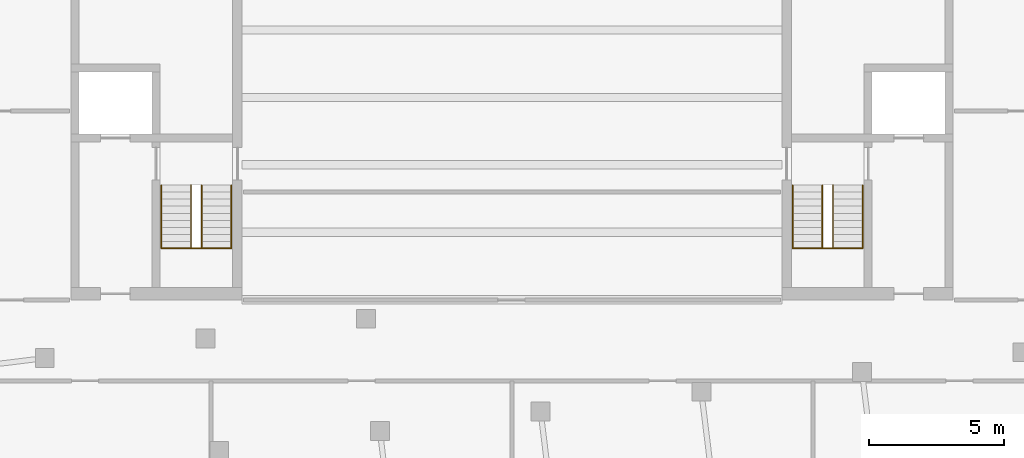
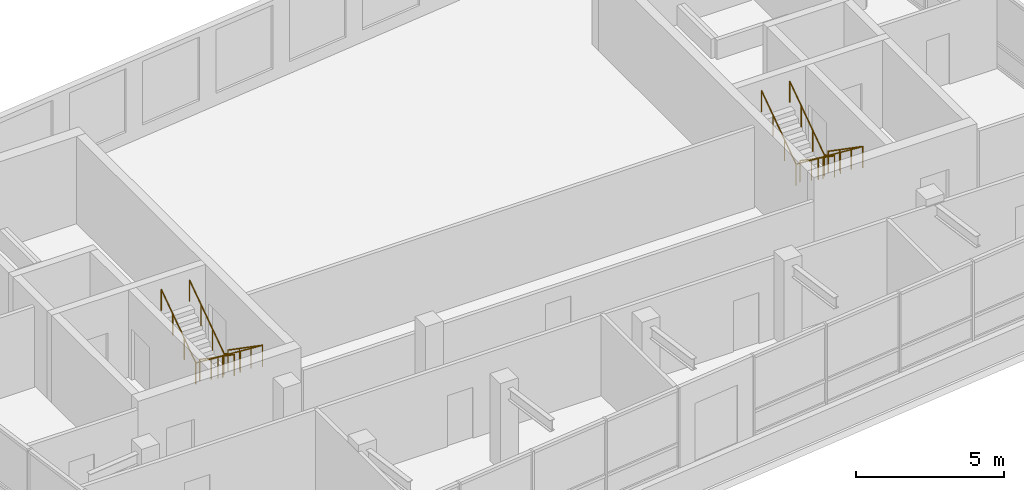
# One storey, part 8 of 8: 4 railings.
"""IFC4 building model written with IfcOpenShell, lengths in metres."""

import ifcopenshell
import ifcopenshell.guid

model = None  # the IFC model being written
_history = None  # IfcOwnerHistory: only IFC2X3 demands one
_inside = {}  # id of a spatial element -> (the spatial element, [elements in it])
_under = {}  # id of a project, library or spatial element -> (it, [spatial elements below it])
_declared = {}  # id of a project -> (the project, [libraries it declares])
_typed = {}  # id of a type object -> (the type object, [elements of that type])
_made_of = {}  # id of a material, layer set ... -> (it, [elements and type objects made of it])


def new_model(schema):
    """Start an empty IFC model of exactly this schema.

    Asked for "IFC4X3", IfcOpenShell would pick the latest addendum, in which some entities
    have other attributes; the version numbers below select the first issue.
    IFC2X3 requires an IfcOwnerHistory on every rooted entity: one is made here for all.
    """
    global model, _history
    if schema == "IFC4X3":
        model = ifcopenshell.file(schema_version=(4, 3, 0, 0))
    else:
        model = ifcopenshell.file(schema=schema)
    _inside.clear()
    _under.clear()
    _declared.clear()
    _typed.clear()
    _made_of.clear()
    _history = None
    if model.schema == "IFC2X3":
        org = make("IfcOrganization", Name="unknown")
        user = make(
            "IfcPersonAndOrganization",
            ThePerson=make("IfcPerson", FamilyName="unknown"),
            TheOrganization=org,
        )
        app = make(
            "IfcApplication",
            ApplicationDeveloper=org,
            Version="unknown",
            ApplicationFullName="unknown",
            ApplicationIdentifier="unknown",
        )
        _history = make(
            "IfcOwnerHistory",
            OwningUser=user,
            OwningApplication=app,
            ChangeAction="ADDED",
            CreationDate=0,
        )
    return model


def make(cls, **values):
    """One entity of the class cls with the attributes given. An attribute that is None is left unset."""
    return model.create_entity(
        cls, **{name: value for name, value in values.items() if value is not None}
    )


def rooted(cls, **values):
    """An entity with a GlobalId (a new one), such as an element, a storey or a relation."""
    return make(cls, GlobalId=ifcopenshell.guid.new(), OwnerHistory=_history, **values)


def si_unit(unit_type, name, prefix=None):
    """IfcSIUnit, for example si_unit("LENGTHUNIT", "METRE", prefix="MILLI")."""
    return make("IfcSIUnit", UnitType=unit_type, Prefix=prefix, Name=name)


def assignment(units):
    """IfcUnitAssignment: the units of a project."""
    return None if units is None else make("IfcUnitAssignment", Units=units)


def point(xyz):
    """IfcCartesianPoint."""
    return None if xyz is None else make("IfcCartesianPoint", Coordinates=xyz)


def direction(xyz):
    """IfcDirection."""
    return None if xyz is None else make("IfcDirection", DirectionRatios=xyz)


def frame(location, z_axis=None, x_axis=None):
    """IfcAxis2Placement3D, a coordinate frame: its origin and axes. An axis left out is left unset."""
    return make(
        "IfcAxis2Placement3D",
        Location=point(location),
        Axis=direction(z_axis),
        RefDirection=direction(x_axis),
    )


def frame_2d(location, x_axis=None):
    """IfcAxis2Placement2D, a coordinate frame in the plane: its origin and x axis."""
    return make(
        "IfcAxis2Placement2D", Location=point(location), RefDirection=direction(x_axis)
    )


def origin():
    """The frame at (0, 0, 0) with its axes left unset."""
    return frame((0.0, 0.0, 0.0))


def origin_2d():
    """The frame at (0, 0) in the plane with its x axis left unset."""
    return frame_2d((0.0, 0.0))


def place(relative_to, where):
    """IfcLocalPlacement: puts the frame where relative to a parent placement (None: the world)."""
    return make(
        "IfcLocalPlacement", PlacementRelTo=relative_to, RelativePlacement=where
    )


def context(
    kind, dimensions, precision=None, world=None, true_north=None, identifier=None
):
    """IfcGeometricRepresentationContext, for example the 3D "Model" context."""
    return make(
        "IfcGeometricRepresentationContext",
        ContextIdentifier=identifier,
        ContextType=kind,
        CoordinateSpaceDimension=dimensions,
        Precision=precision,
        WorldCoordinateSystem=world,
        TrueNorth=true_north,
    )


def subcontext(parent, identifier, kind, view, scale=None):
    """IfcGeometricRepresentationSubContext, for example "Body" below "Model"."""
    return make(
        "IfcGeometricRepresentationSubContext",
        ContextIdentifier=identifier,
        ContextType=kind,
        ParentContext=parent,
        TargetScale=scale,
        TargetView=view,
    )


def project(units=None, contexts=None):
    """IfcProject with its units and contexts."""
    return rooted(
        "IfcProject",
        Name="project",
        RepresentationContexts=contexts,
        UnitsInContext=assignment(units),
    )


def spatial(cls, under=None, at=None, **own):
    """A site, building, storey or space (cls), placed at a placement, below another one or the project."""
    s = rooted(cls, ObjectPlacement=at, **own)
    if under is not None:
        _under.setdefault(under.id(), (under, []))[1].append(s)
    return s


def profile(cls, at=None, kind="AREA", **sizes):
    """A parametric profile (cls). Its sizes go by their IFC names, for example OverallWidth=200.0."""
    return make(cls, ProfileType=kind, Position=at, **sizes)


def circle(**sizes):
    """IfcCircleProfileDef."""
    return profile("IfcCircleProfileDef", **sizes)


def extrude(swept, where, along, depth):
    """IfcExtrudedAreaSolid: the profile swept, set in the frame where, extruded along a direction by depth."""
    return make(
        "IfcExtrudedAreaSolid",
        SweptArea=swept,
        Position=where,
        ExtrudedDirection=direction(along),
        Depth=depth,
    )


def shape(context_of_items, identifier, shape_type, items):
    """IfcShapeRepresentation: the items that make up one representation, for example the "Body"."""
    return make(
        "IfcShapeRepresentation",
        ContextOfItems=context_of_items,
        RepresentationIdentifier=identifier,
        RepresentationType=shape_type,
        Items=items,
    )


def material(Name=None, Category=None):
    """IfcMaterial."""
    return make("IfcMaterial", Name=Name, Category=Category)


def made_of(thing, what):
    """Note that an element or type object is made of a material, layer set ...; save() writes the relation."""
    if what is not None:
        _made_of.setdefault(what.id(), (what, []))[1].append(thing)
    return thing


def type_object(cls, material=None, **own):
    """A type object (cls), such as IfcWallType, which elements share."""
    return made_of(rooted(cls, **own), material)


def element(
    cls,
    number,
    at=None,
    inside=None,
    cuts=None,
    type_object=None,
    material=None,
    context=None,
    identifier="Body",
    shape_type=None,
    held_by="IfcProductDefinitionShape",
    body=None,
    shapes=None,
    **own,
):
    """One element of the class cls, such as IfcWall. Its Tag is "e" and its number.

    at: its placement. inside: the storey or other place that contains it. cuts: it is an
    opening in that element (IfcRelVoidsElement). A single representation is given by context,
    identifier, shape_type and body (its items); several are given by shapes. held_by: the class
    of the entity that holds the representations. save() writes the other relations.
    """
    e = rooted(cls, Tag="e%d" % number, ObjectPlacement=at, **own)
    if body is not None:
        shapes = [shape(context, identifier, shape_type, body)]
    if shapes is not None:
        e.Representation = make(held_by, Representations=shapes)
    if inside is not None:
        _inside.setdefault(inside.id(), (inside, []))[1].append(e)
    if cuts is not None:
        rooted(
            "IfcRelVoidsElement", RelatingBuildingElement=cuts, RelatedOpeningElement=e
        )
    if type_object is not None:
        _typed.setdefault(type_object.id(), (type_object, []))[1].append(e)
    return made_of(e, material)


def aggregate(whole, parts):
    """IfcRelAggregates: a whole, such as a stair, and the parts it consists of."""
    return rooted("IfcRelAggregates", RelatingObject=whole, RelatedObjects=parts)


def save(model, path):
    """Write the relations noted so far, then the file.

    IfcRelAggregates (storeys below a building ...), IfcRelContainedInSpatialStructure (elements
    in a storey), IfcRelDefinesByType, IfcRelAssociatesMaterial and IfcRelDeclares: one each for
    every whole, place, type object, material and project.
    """
    for whole, parts in _under.values():
        aggregate(whole, parts)
    for where, things in _inside.values():
        rooted(
            "IfcRelContainedInSpatialStructure",
            RelatedElements=things,
            RelatingStructure=where,
        )
    for kind, things in _typed.values():
        rooted("IfcRelDefinesByType", RelatedObjects=things, RelatingType=kind)
    for what, things in _made_of.values():
        rooted("IfcRelAssociatesMaterial", RelatedObjects=things, RelatingMaterial=what)
    for by, libraries in _declared.values():
        rooted("IfcRelDeclares", RelatingContext=by, RelatedDefinitions=libraries)
    model.write(path)


model = new_model("IFC4")

# Units and contexts
model_context = context("Model", 3, precision=1e-05, world=origin(), true_north=direction((0.0, 1.0)))
body_context = subcontext(model_context, "Body", "Model", "MODEL_VIEW")
ifc_project = project(units=[si_unit("LENGTHUNIT", "METRE"), si_unit("AREAUNIT", "SQUARE_METRE"), si_unit("VOLUMEUNIT", "CUBIC_METRE"), si_unit("PLANEANGLEUNIT", "RADIAN"), si_unit("MASSUNIT", "GRAM", prefix="KILO")], contexts=[model_context])

# Site, building, storey
site_placement = place(None, origin())
site = spatial("IfcSite", under=ifc_project, at=site_placement, CompositionType="ELEMENT")
building_placement = place(site_placement, origin())
building = spatial("IfcBuilding", under=site, at=building_placement, Name="Torana Hotel and Residences", CompositionType="ELEMENT")
storey_placement = place(building_placement, frame((0.0, 0.0, 346.60009765625)))
storey = spatial("IfcBuildingStorey", under=building, at=storey_placement, Name="C1", CompositionType="ELEMENT", Elevation=346.60009765625)

# Railings
ifc_material = material(Name="Stainless steel 316", Category="steel")
railing_type = type_object("IfcRailingType", Name="STAIR HANDRAIL HR1 900", PredefinedType="HANDRAIL", material=ifc_material)
railing_1_placement = place(storey_placement, frame((-10.39990234375, -10.75, 0.179931640625)))
element("IfcRailing", 1, at=railing_1_placement, inside=storey, type_object=railing_type, Name="Handrail ST1 C1 O1", PredefinedType="HANDRAIL", context=body_context, shape_type="SweptSolid", body=[
    extrude(circle(Radius=0.02392578125, at=origin_2d()), frame((0.0, 0.0, 0.8759765625), z_axis=(0.0, -0.822223072051, 0.569165371211), x_axis=(1.0, 0.0, 0.0)), (0.0, 0.0, 1.0), 2.845947265625),
    extrude(circle(Radius=0.02392578125, at=origin_2d()), frame((0.0, -2.340087890625, 2.49560546875), z_axis=(-0.997607660209, 0.0, 0.069129995609), x_axis=(0.0, -1.0, 0.0)), (0.0, 0.0, 1.0), 2.6064453125),
    extrude(circle(Radius=0.02392578125, at=origin_2d()), frame((-2.60009765625, -2.340087890625, 2.67578125), z_axis=(0.0, 0.822223072051, 0.569165371211), x_axis=(-1.0, 0.0, 0.0)), (0.0, 0.0, 1.0), 2.845947265625),
    extrude(circle(Radius=0.02099609375, at=origin_2d()), origin(), (0.0, 0.0, 1.0), 0.851806640625),
    extrude(circle(Radius=0.02099609375, at=origin_2d()), frame((0.0, -0.780029296875, 0.5400390625)), (0.0, 0.0, 1.0), 0.851806640625),
    extrude(circle(Radius=0.02099609375, at=origin_2d()), frame((0.0, -1.56005859375, 1.079833984375)), (0.0, 0.0, 1.0), 0.851806640625),
    extrude(circle(Radius=0.02099609375, at=origin_2d()), frame((0.0, -2.340087890625, 1.619873046875)), (0.0, 0.0, 1.0), 0.851806640625),
    extrude(circle(Radius=0.02099609375, at=origin_2d()), frame((-0.86669921875, -2.340087890625, 1.679931640625)), (0.0, 0.0, 1.0), 0.851806640625),
    extrude(circle(Radius=0.02099609375, at=origin_2d()), frame((-1.7333984375, -2.340087890625, 1.739990234375)), (0.0, 0.0, 1.0), 0.851806640625),
    extrude(circle(Radius=0.02099609375, at=origin_2d()), frame((-2.60009765625, -2.340087890625, 1.800048828125)), (0.0, 0.0, 1.0), 0.851806640625),
    extrude(circle(Radius=0.02099609375, at=origin_2d()), frame((-2.60009765625, -1.56005859375, 2.340087890625)), (0.0, 0.0, 1.0), 0.851806640625),
    extrude(circle(Radius=0.02099609375, at=origin_2d()), frame((-2.60009765625, -0.780029296875, 2.8798828125)), (0.0, 0.0, 1.0), 0.851806640625),
    extrude(circle(Radius=0.02099609375, at=origin_2d()), frame((-2.60009765625, 0.0, 3.419921875)), (0.0, 0.0, 1.0), 0.851806640625),
])
railing_2_placement = place(storey_placement, frame((-11.5, -10.75, 0.179931640625)))
element("IfcRailing", 2, at=railing_2_placement, inside=storey, type_object=railing_type, Name="Handrail ST1 C1 I1", PredefinedType="HANDRAIL", context=body_context, shape_type="SweptSolid", body=[
    extrude(circle(Radius=0.02392578125, at=origin_2d()), frame((0.0, 0.0, 0.8759765625), z_axis=(0.0, -0.822223072051, 0.569165371211), x_axis=(1.0, 0.0, 0.0)), (0.0, 0.0, 1.0), 2.845947265625),
    extrude(circle(Radius=0.02392578125, at=origin_2d()), frame((0.0, -2.340087890625, 2.49560546875), z_axis=(-0.911733943306, 0.0, 0.410781227204), x_axis=(0.0, -1.0, 0.0)), (0.0, 0.0, 1.0), 0.438720703125),
    extrude(circle(Radius=0.02392578125, at=origin_2d()), frame((-0.39990234375, -2.340087890625, 2.67578125), z_axis=(0.0, 0.822223072051, 0.569165371211), x_axis=(-1.0, 0.0, 0.0)), (0.0, 0.0, 1.0), 2.845947265625),
    extrude(circle(Radius=0.02099609375, at=origin_2d()), origin(), (0.0, 0.0, 1.0), 0.851806640625),
    extrude(circle(Radius=0.02099609375, at=origin_2d()), frame((0.0, -0.780029296875, 0.5400390625)), (0.0, 0.0, 1.0), 0.851806640625),
    extrude(circle(Radius=0.02099609375, at=origin_2d()), frame((0.0, -1.56005859375, 1.079833984375)), (0.0, 0.0, 1.0), 0.851806640625),
    extrude(circle(Radius=0.02099609375, at=origin_2d()), frame((0.0, -2.340087890625, 1.619873046875)), (0.0, 0.0, 1.0), 0.851806640625),
    extrude(circle(Radius=0.02099609375, at=origin_2d()), frame((-0.39990234375, -2.340087890625, 1.800048828125)), (0.0, 0.0, 1.0), 0.851806640625),
    extrude(circle(Radius=0.02099609375, at=origin_2d()), frame((-0.39990234375, -1.56005859375, 2.340087890625)), (0.0, 0.0, 1.0), 0.851806640625),
    extrude(circle(Radius=0.02099609375, at=origin_2d()), frame((-0.39990234375, -0.780029296875, 2.8798828125)), (0.0, 0.0, 1.0), 0.851806640625),
    extrude(circle(Radius=0.02099609375, at=origin_2d()), frame((-0.39990234375, 0.0, 3.419921875)), (0.0, 0.0, 1.0), 0.851806640625),
])
railing_3_placement = place(storey_placement, frame((13.0, -10.75, 0.179931640625)))
element("IfcRailing", 3, at=railing_3_placement, inside=storey, type_object=railing_type, Name="Handrail ST3 C1 O1", PredefinedType="HANDRAIL", context=body_context, shape_type="SweptSolid", body=[
    extrude(circle(Radius=0.02392578125, at=origin_2d()), frame((0.0, 0.0, 0.8759765625), z_axis=(0.0, -0.822223072051, 0.569165371211), x_axis=(1.0, 0.0, 0.0)), (0.0, 0.0, 1.0), 2.845947265625),
    extrude(circle(Radius=0.02392578125, at=origin_2d()), frame((0.0, -2.340087890625, 2.49560546875), z_axis=(-0.997607660209, 0.0, 0.069129995609), x_axis=(0.0, -1.0, 0.0)), (0.0, 0.0, 1.0), 2.6064453125),
    extrude(circle(Radius=0.02392578125, at=origin_2d()), frame((-2.60009765625, -2.340087890625, 2.67578125), z_axis=(0.0, 0.822223072051, 0.569165371211), x_axis=(-1.0, 0.0, 0.0)), (0.0, 0.0, 1.0), 2.845947265625),
    extrude(circle(Radius=0.02099609375, at=origin_2d()), origin(), (0.0, 0.0, 1.0), 0.851806640625),
    extrude(circle(Radius=0.02099609375, at=origin_2d()), frame((0.0, -0.780029296875, 0.5400390625)), (0.0, 0.0, 1.0), 0.851806640625),
    extrude(circle(Radius=0.02099609375, at=origin_2d()), frame((0.0, -1.56005859375, 1.079833984375)), (0.0, 0.0, 1.0), 0.851806640625),
    extrude(circle(Radius=0.02099609375, at=origin_2d()), frame((0.0, -2.340087890625, 1.619873046875)), (0.0, 0.0, 1.0), 0.851806640625),
    extrude(circle(Radius=0.02099609375, at=origin_2d()), frame((-0.86669921875, -2.340087890625, 1.679931640625)), (0.0, 0.0, 1.0), 0.851806640625),
    extrude(circle(Radius=0.02099609375, at=origin_2d()), frame((-1.7333984375, -2.340087890625, 1.739990234375)), (0.0, 0.0, 1.0), 0.851806640625),
    extrude(circle(Radius=0.02099609375, at=origin_2d()), frame((-2.60009765625, -2.340087890625, 1.800048828125)), (0.0, 0.0, 1.0), 0.851806640625),
    extrude(circle(Radius=0.02099609375, at=origin_2d()), frame((-2.60009765625, -1.56005859375, 2.340087890625)), (0.0, 0.0, 1.0), 0.851806640625),
    extrude(circle(Radius=0.02099609375, at=origin_2d()), frame((-2.60009765625, -0.780029296875, 2.8798828125)), (0.0, 0.0, 1.0), 0.851806640625),
    extrude(circle(Radius=0.02099609375, at=origin_2d()), frame((-2.60009765625, 0.0, 3.419921875)), (0.0, 0.0, 1.0), 0.851806640625),
])
railing_4_placement = place(storey_placement, frame((11.89990234375, -10.75, 0.179931640625)))
element("IfcRailing", 4, at=railing_4_placement, inside=storey, type_object=railing_type, Name="Handrail ST3 C1 I1", PredefinedType="HANDRAIL", context=body_context, shape_type="SweptSolid", body=[
    extrude(circle(Radius=0.02392578125, at=origin_2d()), frame((0.0, 0.0, 0.8759765625), z_axis=(0.0, -0.822223072051, 0.569165371211), x_axis=(1.0, 0.0, 0.0)), (0.0, 0.0, 1.0), 2.845947265625),
    extrude(circle(Radius=0.02392578125, at=origin_2d()), frame((0.0, -2.340087890625, 2.49560546875), z_axis=(-0.911733943306, 0.0, 0.410781227204), x_axis=(0.0, -1.0, 0.0)), (0.0, 0.0, 1.0), 0.438720703125),
    extrude(circle(Radius=0.02392578125, at=origin_2d()), frame((-0.39990234375, -2.340087890625, 2.67578125), z_axis=(0.0, 0.822223072051, 0.569165371211), x_axis=(-1.0, 0.0, 0.0)), (0.0, 0.0, 1.0), 2.845947265625),
    extrude(circle(Radius=0.02099609375, at=origin_2d()), origin(), (0.0, 0.0, 1.0), 0.851806640625),
    extrude(circle(Radius=0.02099609375, at=origin_2d()), frame((0.0, -0.780029296875, 0.5400390625)), (0.0, 0.0, 1.0), 0.851806640625),
    extrude(circle(Radius=0.02099609375, at=origin_2d()), frame((0.0, -1.56005859375, 1.079833984375)), (0.0, 0.0, 1.0), 0.851806640625),
    extrude(circle(Radius=0.02099609375, at=origin_2d()), frame((0.0, -2.340087890625, 1.619873046875)), (0.0, 0.0, 1.0), 0.851806640625),
    extrude(circle(Radius=0.02099609375, at=origin_2d()), frame((-0.39990234375, -2.340087890625, 1.800048828125)), (0.0, 0.0, 1.0), 0.851806640625),
    extrude(circle(Radius=0.02099609375, at=origin_2d()), frame((-0.39990234375, -1.56005859375, 2.340087890625)), (0.0, 0.0, 1.0), 0.851806640625),
    extrude(circle(Radius=0.02099609375, at=origin_2d()), frame((-0.39990234375, -0.780029296875, 2.8798828125)), (0.0, 0.0, 1.0), 0.851806640625),
    extrude(circle(Radius=0.02099609375, at=origin_2d()), frame((-0.39990234375, 0.0, 3.419921875)), (0.0, 0.0, 1.0), 0.851806640625),
])

save(model, "model.ifc")
